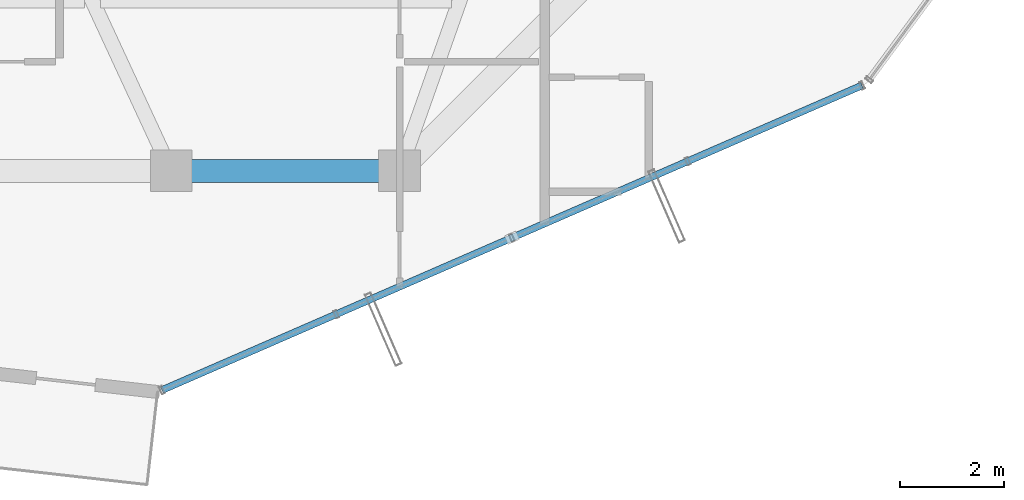
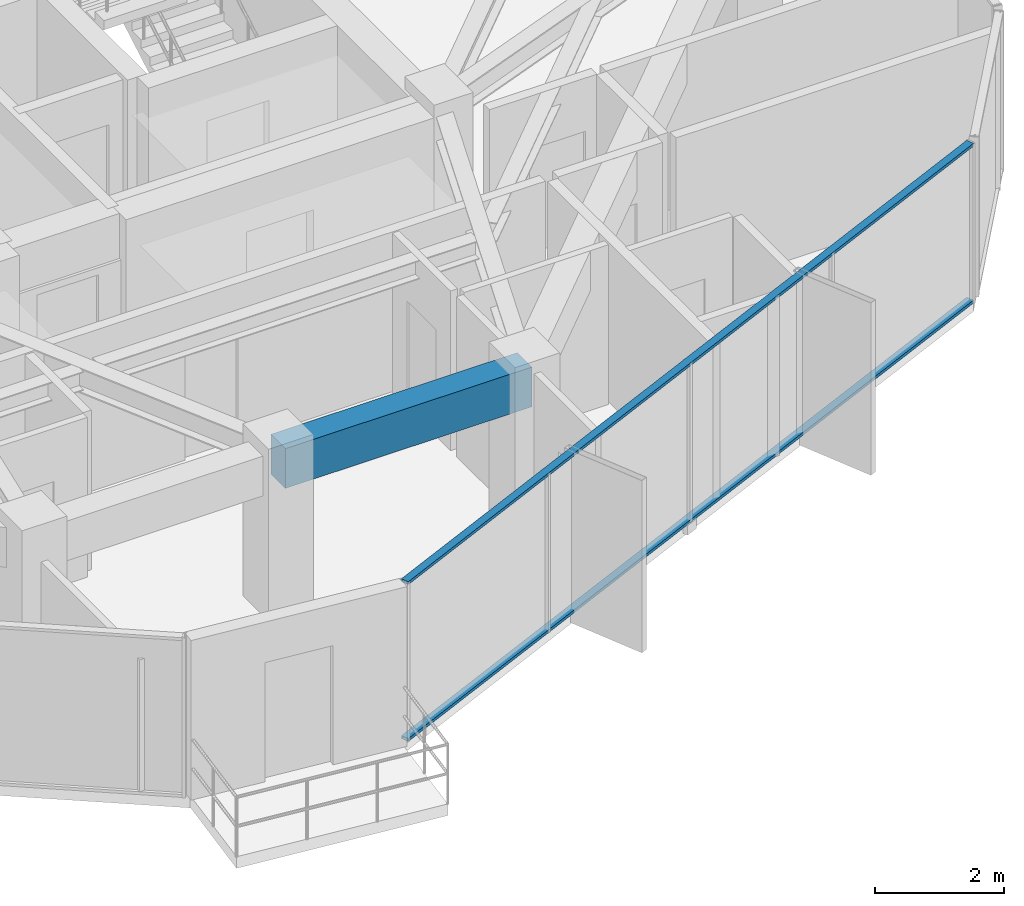
# One storey, part 9 of 30: 2 members, 1 beam, 1 element without a shape of its own.
"""IFC4 building model written with IfcOpenShell, lengths in metres."""

from ifc_helpers import new_model, si_unit, direction, frame, origin, origin_2d, place, context, subcontext, project, spatial, rectangle, hollow_rectangle, extrude, source, transform, mapped, material, layer, layer_set, material_profile, profile_set, type_object, element, aggregate, save


model = new_model("IFC4")

# Units and contexts
model_context = context("Model", 3, precision=1e-05, world=origin(), true_north=direction((0.0, 1.0)))
body_context = subcontext(model_context, "Body", "Model", "MODEL_VIEW")
ifc_project = project(units=[si_unit("LENGTHUNIT", "METRE"), si_unit("AREAUNIT", "SQUARE_METRE"), si_unit("VOLUMEUNIT", "CUBIC_METRE"), si_unit("PLANEANGLEUNIT", "RADIAN"), si_unit("MASSUNIT", "GRAM", prefix="KILO")], contexts=[model_context])

# Site, building, storey
site_placement = place(None, origin())
site = spatial("IfcSite", under=ifc_project, at=site_placement, CompositionType="ELEMENT")
building_placement = place(site_placement, origin())
building = spatial("IfcBuilding", under=site, at=building_placement, Name="Veraguas Prism Commons", CompositionType="ELEMENT")
storey_placement = place(building_placement, frame((0.0, 0.0, 230.050048828125)))
storey = spatial("IfcBuildingStorey", under=building, at=storey_placement, Name="L65", CompositionType="ELEMENT", Elevation=230.050048828125)

# Beam
ifc_material_1 = material(Name="Concrete C50/60", Category="concrete")
ifc_material_profile_1 = material_profile(ifc_material_1, rectangle(XDim=0.449951171875, YDim=0.75, at=origin_2d()), Name="RC450X750")
ifc_profile_set_1 = profile_set([ifc_material_profile_1], Name="Concrete C50/60")
beam_type = type_object("IfcBeamType", Name="Perimeter Spandrel Upper RC 450x750", PredefinedType="SPANDREL", material=ifc_profile_set_1)
beam_placement = place(storey_placement, frame((24.0, 10.199951171875, 2.639892578125), z_axis=(1.0, 0.0, 0.0), x_axis=(0.0, 1.0, 0.0)))
element("IfcBeam", 1, at=beam_placement, inside=storey, type_object=beam_type, Name="Perimeter Spandrel Beam L65-SP11", PredefinedType="SPANDREL", context=body_context, shape_type="SweptSolid", body=[
    extrude(rectangle(XDim=0.449951171875, YDim=0.75, at=origin_2d()), origin(), (0.0, 0.0, 1.0), 4.39990234375),
])

# Curtain wall, members
ifc_material_2 = material(Name="Anodised aluminium EN AW-6063 T6", Category="aluminium")
ifc_layer = layer(ifc_material_2, 0.14990234375, Name="Unitised Flush Curtain Wall Zone 4", Category="aluminium")
ifc_layer_set = layer_set([ifc_layer], Name="Anodised aluminium EN AW-6063 T6")
curtain_wall_type = type_object("IfcCurtainWallType", Name="Unitised Flush Curtain Wall Zone 4", PredefinedType="NOTDEFINED", material=ifc_layer_set)
curtain_wall_placement = place(storey_placement, origin())
curtain_wall = element("IfcCurtainWall", 2, at=curtain_wall_placement, inside=storey, type_object=curtain_wall_type, Name="Tower Facade Curtain Wall L65-F5", PredefinedType="NOTDEFINED")
ifc_material_profile_2 = material_profile(ifc_material_2, hollow_rectangle(XDim=0.054931640625, YDim=0.135009765625, WallThickness=0.0029296875, at=origin_2d()), Name="AL55X135X3")
ifc_profile_set_2 = profile_set([ifc_material_profile_2], Name="Anodised aluminium EN AW-6063 T6")
member_type = type_object("IfcMemberType", Name="Curtain Wall Transom Standard AL 55x135x3", PredefinedType="USERDEFINED", material=ifc_profile_set_2)
shared_shape = source(origin(), body_context, "Body", "SweptSolid", [
    extrude(hollow_rectangle(XDim=0.054931640625, YDim=0.135009765625, WallThickness=0.0029296875, at=origin_2d()), origin(), (0.0, 0.0, 1.0), 14.70654296875),
])
member_1_placement = place(storey_placement, frame((23.82421875, 5.97802734375, 0.02734375), z_axis=(0.916920345569, 0.399070269352, 0.0), x_axis=(0.0, 0.0, 1.0)))
member_1 = element("IfcMember", 3, at=member_1_placement, type_object=member_type, Name="CW-Z4 Transom 1", ObjectType="TRANSOM", PredefinedType="USERDEFINED", context=body_context, shape_type="MappedRepresentation", body=[
    mapped(shared_shape, transform((0.0, 0.0, 0.0), scale=1.0)),
])
member_2_placement = place(storey_placement, frame((23.82421875, 5.97802734375, 2.987548828125), z_axis=(0.916920345569, 0.399070269352, 0.0), x_axis=(0.0, 0.0, 1.0)))
member_2 = element("IfcMember", 4, at=member_2_placement, type_object=member_type, Name="CW-Z4 Transom 2", ObjectType="TRANSOM", PredefinedType="USERDEFINED", context=body_context, shape_type="MappedRepresentation", body=[
    mapped(shared_shape, transform((0.0, 0.0, 0.0), scale=1.0)),
])
aggregate(curtain_wall, [member_1, member_2])

save(model, "model.ifc")
